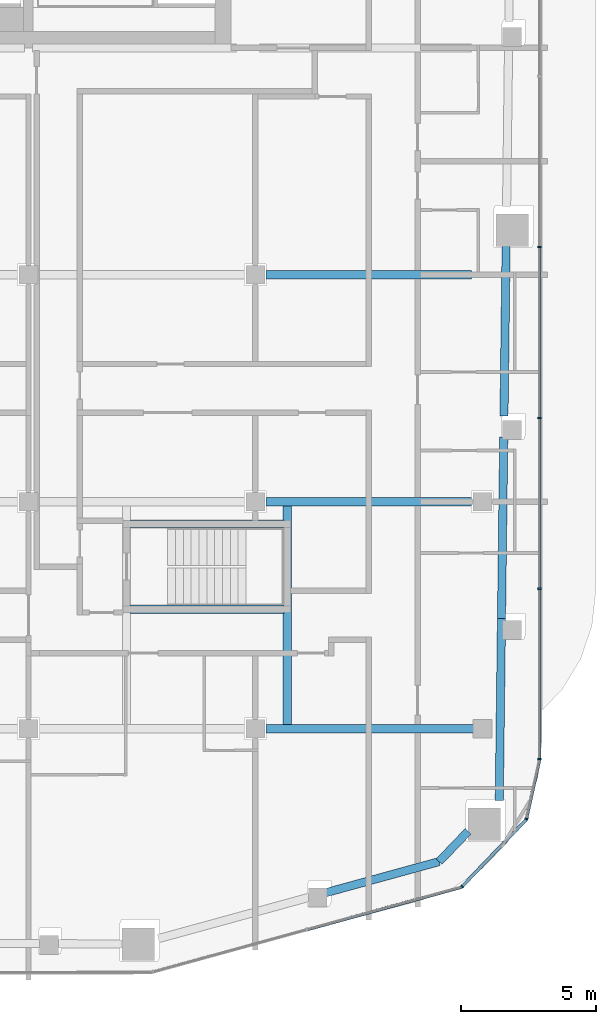
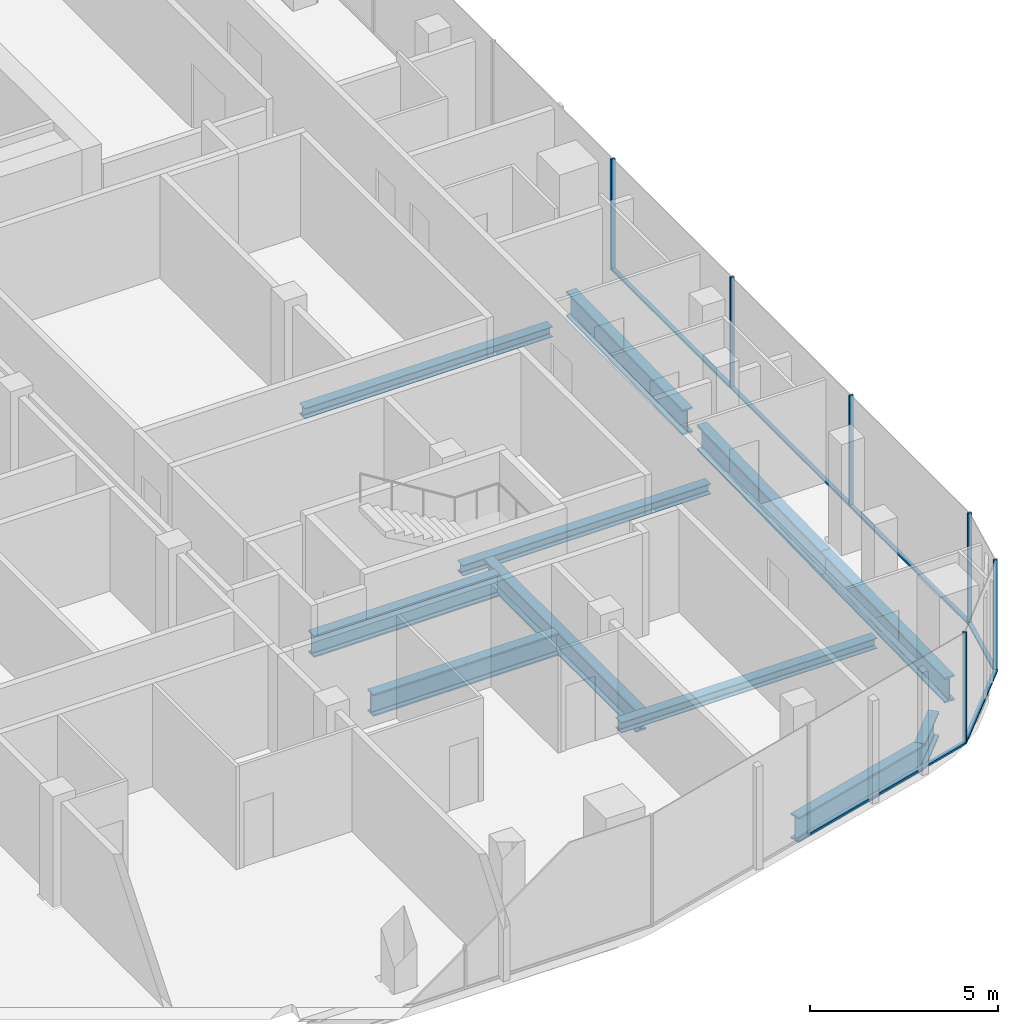
# One storey, part 6 of 21: 12 members, 11 beams, 4 elements without a shape of their own.
"""IFC4 building model written with IfcOpenShell, lengths in metres."""

from ifc_helpers import new_model, si_unit, direction, frame, origin, origin_2d, place, context, subcontext, project, spatial, rectangle, i_section, extrude, material, layer, layer_set, material_profile, profile_set, type_object, element, aggregate, save


model = new_model("IFC4")

# Units and contexts
model_context = context("Model", 3, precision=1e-05, world=origin(), true_north=direction((0.0, 1.0)))
body_context = subcontext(model_context, "Body", "Model", "MODEL_VIEW")
ifc_project = project(units=[si_unit("LENGTHUNIT", "METRE"), si_unit("AREAUNIT", "SQUARE_METRE"), si_unit("VOLUMEUNIT", "CUBIC_METRE"), si_unit("PLANEANGLEUNIT", "RADIAN"), si_unit("MASSUNIT", "GRAM", prefix="KILO")], contexts=[model_context])

# Site, building, storey
site_placement = place(None, origin())
site = spatial("IfcSite", under=ifc_project, at=site_placement, CompositionType="ELEMENT")
building_placement = place(site_placement, origin())
building = spatial("IfcBuilding", under=site, at=building_placement, Name="Marenta Gate Hotel Tower", CompositionType="ELEMENT")
storey_placement = place(building_placement, frame((0.0, 0.0, 266.89990234375)))
storey = spatial("IfcBuildingStorey", under=building, at=storey_placement, Name="L61", CompositionType="ELEMENT", Elevation=266.89990234375)

# Beams
ifc_material_1 = material(Name="Steel S355", Category="steel")
ifc_material_profile_1 = material_profile(ifc_material_1, i_section(OverallWidth=0.302978515625, OverallDepth=0.81396484375, WebThickness=0.030029296875, FlangeThickness=0.052001953125, FilletRadius=0.030029296875, at=origin_2d()), Name="HEM 800")
ifc_profile_set_1 = profile_set([ifc_material_profile_1], Name="Steel S355")
beam_type_1 = type_object("IfcBeamType", Name="Edge beam HEM 800", PredefinedType="SPANDREL", material=ifc_profile_set_1)
beam_1_placement = place(storey_placement, frame((21.877197265625, -7.31005859375, -0.6669921875), z_axis=(-0.012316143671, -0.999924153426, 0.0), x_axis=(0.999924153426, -0.012316143671, 0.0)))
element("IfcBeam", 1, at=beam_1_placement, inside=storey, type_object=beam_type_1, Name="L61-EB-25", PredefinedType="SPANDREL", context=body_context, shape_type="SweptSolid", body=[
    extrude(i_section(OverallWidth=0.302978515625, OverallDepth=0.81396484375, WebThickness=0.030029296875, FlangeThickness=0.052001953125, FilletRadius=0.030029296875, at=origin_2d()), origin(), (0.0, 0.0, 1.0), 6.323486328125),
])
beam_2_placement = place(storey_placement, frame((21.789794921875, -14.40087890625, -0.6669921875), z_axis=(-0.012338019251, -0.999923883744, 0.0), x_axis=(0.999923883744, -0.012338019251, 0.0)))
element("IfcBeam", 2, at=beam_2_placement, inside=storey, type_object=beam_type_1, Name="L61-EB-26", PredefinedType="SPANDREL", context=body_context, shape_type="SweptSolid", body=[
    extrude(i_section(OverallWidth=0.302978515625, OverallDepth=0.81396484375, WebThickness=0.030029296875, FlangeThickness=0.052001953125, FilletRadius=0.030029296875, at=origin_2d()), origin(), (0.0, 0.0, 1.0), 6.727783203125),
])
beam_3_placement = place(storey_placement, frame((21.706787109375, -21.128173828125, -0.6669921875), z_axis=(-0.012338466959, -0.999923878219, 0.0), x_axis=(0.999923878219, -0.012338466959, 0.0)))
element("IfcBeam", 3, at=beam_3_placement, inside=storey, type_object=beam_type_1, Name="L61-EB-27", PredefinedType="SPANDREL", context=body_context, shape_type="SweptSolid", body=[
    extrude(i_section(OverallWidth=0.302978515625, OverallDepth=0.81396484375, WebThickness=0.030029296875, FlangeThickness=0.052001953125, FilletRadius=0.030029296875, at=origin_2d()), origin(), (0.0, 0.0, 1.0), 6.7275390625),
])
beam_4_placement = place(storey_placement, frame((20.472412109375, -28.99853515625, -0.6669921875), z_axis=(-0.692656170198, -0.721267932108, 0.0), x_axis=(0.721267932108, -0.692656170198, 0.0)))
element("IfcBeam", 4, at=beam_4_placement, inside=storey, type_object=beam_type_1, Name="L61-EB-28", PredefinedType="SPANDREL", context=body_context, shape_type="SweptSolid", body=[
    extrude(i_section(OverallWidth=0.302978515625, OverallDepth=0.81396484375, WebThickness=0.030029296875, FlangeThickness=0.052001953125, FilletRadius=0.030029296875, at=origin_2d()), origin(), (0.0, 0.0, 1.0), 1.552978515625),
])
beam_5_placement = place(storey_placement, frame((19.396728515625, -30.11865234375, -0.6669921875), z_axis=(-0.964354367147, -0.264614161684, 0.0), x_axis=(0.264614161684, -0.964354367147, 0.0)))
element("IfcBeam", 5, at=beam_5_placement, inside=storey, type_object=beam_type_1, Name="L61-EB-29", PredefinedType="SPANDREL", context=body_context, shape_type="SweptSolid", body=[
    extrude(i_section(OverallWidth=0.302978515625, OverallDepth=0.81396484375, WebThickness=0.030029296875, FlangeThickness=0.052001953125, FilletRadius=0.030029296875, at=origin_2d()), origin(), (0.0, 0.0, 1.0), 4.71923828125),
])
ifc_material_2 = material(Name="Steel S355", Category="steel")
ifc_material_profile_2 = material_profile(ifc_material_2, i_section(OverallWidth=0.300048828125, OverallDepth=0.340087890625, WebThickness=0.011962890625, FlangeThickness=0.021484375, FilletRadius=0.027099609375, at=origin_2d()), Name="HEB 340")
ifc_profile_set_2 = profile_set([ifc_material_profile_2], Name="Steel S355")
beam_type_2 = type_object("IfcBeamType", Name="Girder HEB 340", PredefinedType="BEAM", material=ifc_profile_set_2)
beam_6_placement = place(storey_placement, frame((13.0, -25.199951171875, -0.429931640625), z_axis=(1.0, 0.0, 0.0), x_axis=(0.0, 1.0, 0.0)))
element("IfcBeam", 6, at=beam_6_placement, inside=storey, type_object=beam_type_2, Name="L61-GD-6", PredefinedType="BEAM", context=body_context, shape_type="SweptSolid", body=[
    extrude(i_section(OverallWidth=0.300048828125, OverallDepth=0.340087890625, WebThickness=0.011962890625, FlangeThickness=0.021484375, FilletRadius=0.027099609375, at=origin_2d()), origin(), (0.0, 0.0, 1.0), 7.848388671875),
])
for number, where, z_axis, x_axis, name in (
    (7, (13.0, -16.800048828125, -0.429931640625), (1.0, 0.0, 0.0), (0.0, 1.0, 0.0), "L61-GD-11"),
    (8, (13.0, -8.39990234375, -0.429931640625), (1.0, 0.0, 0.0), (0.0, 1.0, 0.0), "L61-GD-16"),
):
    element("IfcBeam", number, at=place(storey_placement, frame(where, z_axis=z_axis, x_axis=x_axis)), inside=storey, type_object=beam_type_2, Name=name, PredefinedType="BEAM", context=body_context, shape_type="SweptSolid", body=[
        extrude(i_section(OverallWidth=0.300048828125, OverallDepth=0.340087890625, WebThickness=0.011962890625, FlangeThickness=0.021484375, FilletRadius=0.027099609375, at=origin_2d()), origin(), (0.0, 0.0, 1.0), 7.60009765625),
    ])

# Curtain wall, member
ifc_material_3 = material(Name="Tinted insulated glass in bronze anodised frame", Category="glass")
ifc_layer = layer(ifc_material_3, 0.1201171875)
ifc_layer_set = layer_set([ifc_layer], Name="Tinted insulated glass in bronze anodised frame")
curtain_wall_type = type_object("IfcCurtainWallType", Name="Tower unitised curtain wall CW1", PredefinedType="NOTDEFINED", material=ifc_layer_set)
curtain_wall_1_placement = place(storey_placement, origin())
curtain_wall_1 = element("IfcCurtainWall", 9, at=curtain_wall_1_placement, inside=storey, type_object=curtain_wall_type, Name="CW1 run G09", PredefinedType="NOTDEFINED")
ifc_material_4 = material(Name="Bronze anodised aluminium", Category="aluminium")
ifc_material_profile_3 = material_profile(ifc_material_4, rectangle(XDim=0.1201171875, YDim=0.06005859375, at=origin_2d()), Name="Mullion CW1 60x120 bronze anodised aluminium")
ifc_profile_set_3 = profile_set([ifc_material_profile_3], Name="Bronze anodised aluminium")
member_type_1 = type_object("IfcMemberType", Name="Mullion CW1 60x120 bronze anodised aluminium", PredefinedType="MULLION", material=ifc_profile_set_3)
member_1_placement = place(storey_placement, frame((20.24560546875, -31.0400390625, 0.0), z_axis=(0.0, 0.0, 1.0), x_axis=(-0.72137172224, 0.692548076564, 0.0)))
member_1 = element("IfcMember", 10, at=member_1_placement, type_object=member_type_1, Name="CW1 mullion 1", PredefinedType="MULLION", context=body_context, shape_type="SweptSolid", body=[
    extrude(rectangle(XDim=0.1201171875, YDim=0.06005859375, at=origin_2d()), origin(), (0.0, 0.0, 1.0), 3.60009765625),
])

curtain_wall_2_placement = place(storey_placement, origin())
curtain_wall_2 = element("IfcCurtainWall", 11, at=curtain_wall_2_placement, inside=storey, type_object=curtain_wall_type, Name="CW1 run G10", PredefinedType="NOTDEFINED")
member_2_placement = place(storey_placement, frame((22.626708984375, -28.537109375, 0.0), z_axis=(0.0, 0.0, 1.0), x_axis=(-0.97620669183, 0.216842096529, 0.0)))
member_2 = element("IfcMember", 12, at=member_2_placement, type_object=member_type_1, Name="CW1 mullion 1", PredefinedType="MULLION", context=body_context, shape_type="SweptSolid", body=[
    extrude(rectangle(XDim=0.1201171875, YDim=0.06005859375, at=origin_2d()), origin(), (0.0, 0.0, 1.0), 3.60009765625),
])

# Curtain wall, members
curtain_wall_3_placement = place(storey_placement, origin())
curtain_wall_3 = element("IfcCurtainWall", 13, at=curtain_wall_3_placement, inside=storey, type_object=curtain_wall_type, Name="CW1 run G11", PredefinedType="NOTDEFINED")
member_3_placement = place(storey_placement, frame((23.114013671875, -26.31396484375, 0.0), z_axis=(0.0, 0.0, 1.0), x_axis=(-1.0, 0.0, 0.0)))
member_3 = element("IfcMember", 14, at=member_3_placement, type_object=member_type_1, Name="CW1 mullion 1", PredefinedType="MULLION", context=body_context, shape_type="SweptSolid", body=[
    extrude(rectangle(XDim=0.1201171875, YDim=0.06005859375, at=origin_2d()), origin(), (0.0, 0.0, 1.0), 3.60009765625),
])
member_4_placement = place(storey_placement, frame((23.114013671875, -20.021240234375, 0.0), z_axis=(0.0, 0.0, 1.0), x_axis=(-1.0, 0.0, 0.0)))
member_4 = element("IfcMember", 15, at=member_4_placement, type_object=member_type_1, Name="CW1 mullion 2", PredefinedType="MULLION", context=body_context, shape_type="SweptSolid", body=[
    extrude(rectangle(XDim=0.1201171875, YDim=0.06005859375, at=origin_2d()), origin(), (0.0, 0.0, 1.0), 3.60009765625),
])
member_5_placement = place(storey_placement, frame((23.114013671875, -13.69873046875, 0.0), z_axis=(0.0, 0.0, 1.0), x_axis=(-1.0, 0.0, 0.0)))
member_5 = element("IfcMember", 16, at=member_5_placement, type_object=member_type_1, Name="CW1 mullion 3", PredefinedType="MULLION", context=body_context, shape_type="SweptSolid", body=[
    extrude(rectangle(XDim=0.1201171875, YDim=0.06005859375, at=origin_2d()), origin(), (0.0, 0.0, 1.0), 3.60009765625),
])
member_6_placement = place(storey_placement, frame((23.114013671875, -7.3759765625, 0.0), z_axis=(0.0, 0.0, 1.0), x_axis=(-1.0, 0.0, 0.0)))
member_6 = element("IfcMember", 17, at=member_6_placement, type_object=member_type_1, Name="CW1 mullion 4", PredefinedType="MULLION", context=body_context, shape_type="SweptSolid", body=[
    extrude(rectangle(XDim=0.1201171875, YDim=0.06005859375, at=origin_2d()), origin(), (0.0, 0.0, 1.0), 3.60009765625),
])

# Beams
ifc_material_5 = material(Name="Steel S355", Category="steel")
ifc_material_profile_4 = material_profile(ifc_material_5, i_section(OverallWidth=0.303955078125, OverallDepth=0.716064453125, WebThickness=0.027099609375, FlangeThickness=0.048095703125, FilletRadius=0.027099609375, at=origin_2d()), Name="HEM 700")
ifc_profile_set_4 = profile_set([ifc_material_profile_4], Name="Steel S355")
beam_type_3 = type_object("IfcBeamType", Name="Stair wall transfer beam HEM 700", PredefinedType="BEAM", material=ifc_profile_set_4)
beam_7_placement = place(storey_placement, frame((13.77490234375, -25.050048828125, -0.617919921875), z_axis=(0.0, 1.0, 0.0), x_axis=(-1.0, 0.0, 0.0)))
element("IfcBeam", 18, at=beam_7_placement, inside=storey, type_object=beam_type_3, Name="L61-XB-RS-Z4-1-b", PredefinedType="BEAM", context=body_context, shape_type="SweptSolid", body=[
    extrude(i_section(OverallWidth=0.303955078125, OverallDepth=0.716064453125, WebThickness=0.027099609375, FlangeThickness=0.048095703125, FilletRadius=0.027099609375, at=origin_2d()), origin(), (0.0, 0.0, 1.0), 8.10009765625),
])
for number, where, z_axis, x_axis, name in (
    (19, (7.949951171875, -20.77490234375, -0.617919921875), (1.0, 0.0, 0.0), (0.0, 1.0, 0.0), "L61-XB-RS-Z4-1-c"),
    (20, (7.949951171875, -17.625, -0.617919921875), (1.0, 0.0, 0.0), (0.0, 1.0, 0.0), "L61-XB-RS-Z4-1-d"),
):
    element("IfcBeam", number, at=place(storey_placement, frame(where, z_axis=z_axis, x_axis=x_axis)), inside=storey, type_object=beam_type_3, Name=name, PredefinedType="BEAM", context=body_context, shape_type="SweptSolid", body=[
        extrude(i_section(OverallWidth=0.303955078125, OverallDepth=0.716064453125, WebThickness=0.027099609375, FlangeThickness=0.048095703125, FilletRadius=0.027099609375, at=origin_2d()), origin(), (0.0, 0.0, 1.0), 5.699951171875),
    ])

# Curtain wall, member
curtain_wall_4_placement = place(storey_placement, origin())
curtain_wall_4 = element("IfcCurtainWall", 21, at=curtain_wall_4_placement, inside=storey, type_object=curtain_wall_type, Name="CW1 run G08", PredefinedType="NOTDEFINED")
ifc_material_6 = material(Name="Bronze anodised aluminium", Category="aluminium")
ifc_material_profile_5 = material_profile(ifc_material_6, rectangle(XDim=0.1201171875, YDim=0.06005859375, at=origin_2d()), Name="Transom CW1 60x120 bronze anodised aluminium")
ifc_profile_set_5 = profile_set([ifc_material_profile_5], Name="Bronze anodised aluminium")
member_type_2 = type_object("IfcMemberType", Name="Transom CW1 60x120 bronze anodised aluminium", PredefinedType="USERDEFINED", material=ifc_profile_set_5)
member_7_placement = place(storey_placement, frame((14.52880859375, -32.62890625, 0.030029296875), z_axis=(0.964173953392, 0.265270781656, 0.0), x_axis=(-0.265270781656, 0.964173953392, 0.0)))
member_7 = element("IfcMember", 22, at=member_7_placement, type_object=member_type_2, Name="CW1 transom 2.1", ObjectType="TRANSOM", PredefinedType="USERDEFINED", context=body_context, shape_type="SweptSolid", body=[
    extrude(rectangle(XDim=0.1201171875, YDim=0.06005859375, at=origin_2d()), origin(), (0.0, 0.0, 1.0), 5.90771484375),
])
aggregate(curtain_wall_4, [member_7])

# Member
member_8_placement = place(storey_placement, frame((20.266357421875, -31.018310546875, 0.030029296875), z_axis=(0.692558740515, 0.721361484234, 0.0), x_axis=(-0.721361484234, 0.692558740515, 0.0)))
member_8 = element("IfcMember", 23, at=member_8_placement, type_object=member_type_2, Name="CW1 transom 1.1", ObjectType="TRANSOM", PredefinedType="USERDEFINED", context=body_context, shape_type="SweptSolid", body=[
    extrude(rectangle(XDim=0.1201171875, YDim=0.06005859375, at=origin_2d()), origin(), (0.0, 0.0, 1.0), 3.39892578125),
])

aggregate(curtain_wall_1, [member_1, member_8])

member_9_placement = place(storey_placement, frame((22.63330078125, -28.5078125, 0.030029296875), z_axis=(0.216872146276, 0.976200016477, 0.0), x_axis=(-0.976200016477, 0.216872146276, 0.0)))
member_9 = element("IfcMember", 24, at=member_9_placement, type_object=member_type_2, Name="CW1 transom 1.1", ObjectType="TRANSOM", PredefinedType="USERDEFINED", context=body_context, shape_type="SweptSolid", body=[
    extrude(rectangle(XDim=0.1201171875, YDim=0.06005859375, at=origin_2d()), origin(), (0.0, 0.0, 1.0), 2.216552734375),
])

aggregate(curtain_wall_2, [member_2, member_9])

member_10_placement = place(storey_placement, frame((23.114013671875, -26.283935546875, 0.030029296875), z_axis=(0.0, 1.0, 0.0), x_axis=(-1.0, 0.0, 0.0)))
member_10 = element("IfcMember", 25, at=member_10_placement, type_object=member_type_2, Name="CW1 transom 1.1", ObjectType="TRANSOM", PredefinedType="USERDEFINED", context=body_context, shape_type="SweptSolid", body=[
    extrude(rectangle(XDim=0.1201171875, YDim=0.06005859375, at=origin_2d()), origin(), (0.0, 0.0, 1.0), 6.232666015625),
])

member_11_placement = place(storey_placement, frame((23.114013671875, -19.9912109375, 0.030029296875), z_axis=(0.0, 1.0, 0.0), x_axis=(-1.0, 0.0, 0.0)))
member_11 = element("IfcMember", 26, at=member_11_placement, type_object=member_type_2, Name="CW1 transom 2.1", ObjectType="TRANSOM", PredefinedType="USERDEFINED", context=body_context, shape_type="SweptSolid", body=[
    extrude(rectangle(XDim=0.1201171875, YDim=0.06005859375, at=origin_2d()), origin(), (0.0, 0.0, 1.0), 6.2626953125),
])

member_12_placement = place(storey_placement, frame((23.114013671875, -13.668701171875, 0.030029296875), z_axis=(0.0, 1.0, 0.0), x_axis=(-1.0, 0.0, 0.0)))
member_12 = element("IfcMember", 27, at=member_12_placement, type_object=member_type_2, Name="CW1 transom 3.1", ObjectType="TRANSOM", PredefinedType="USERDEFINED", context=body_context, shape_type="SweptSolid", body=[
    extrude(rectangle(XDim=0.1201171875, YDim=0.06005859375, at=origin_2d()), origin(), (0.0, 0.0, 1.0), 6.2626953125),
])

aggregate(curtain_wall_3, [member_3, member_4, member_5, member_6, member_10, member_11, member_12])

save(model, "model.ifc")
